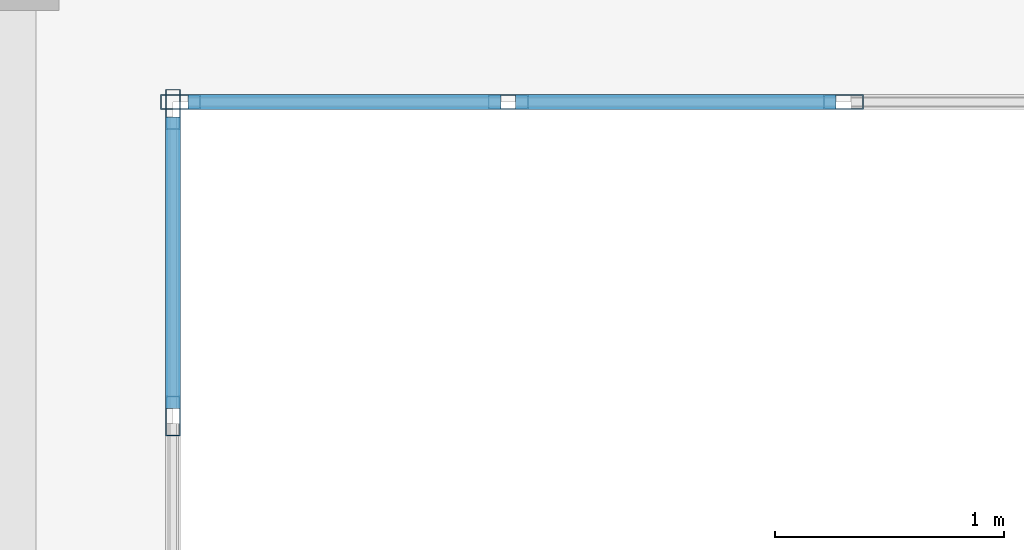
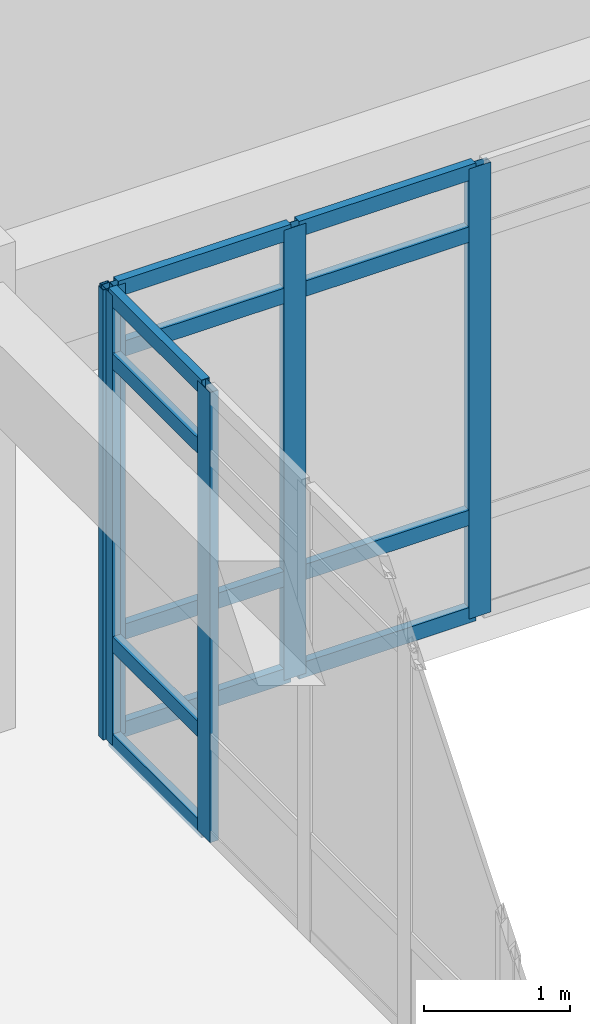
# One storey, part 57 of 91: 17 members, 2 elements without a shape of their own.
"""IFC4 building model written with IfcOpenShell, lengths in metres."""

from ifc_helpers import new_model, si_unit, direction, frame, origin, origin_2d, place, context, subcontext, project, spatial, hollow_rectangle, extrude, material, layer, layer_set, material_profile, profile_set, type_object, element, aggregate, save


model = new_model("IFC4")

# Units and contexts
model_context = context("Model", 3, precision=1e-05, world=origin(), true_north=direction((0.0, 1.0)))
body_context = subcontext(model_context, "Body", "Model", "MODEL_VIEW")
ifc_project = project(units=[si_unit("LENGTHUNIT", "METRE"), si_unit("AREAUNIT", "SQUARE_METRE"), si_unit("VOLUMEUNIT", "CUBIC_METRE"), si_unit("PLANEANGLEUNIT", "RADIAN"), si_unit("MASSUNIT", "GRAM", prefix="KILO")], contexts=[model_context])

# Site, building, storey
site_placement = place(None, origin())
site = spatial("IfcSite", under=ifc_project, at=site_placement, CompositionType="ELEMENT")
building_placement = place(site_placement, origin())
building = spatial("IfcBuilding", under=site, at=building_placement, Name="Valcora Specialist Clinic", CompositionType="ELEMENT")
storey_placement = place(building_placement, frame((0.0, 0.0, 13.60009765625)))
storey = spatial("IfcBuildingStorey", under=building, at=storey_placement, Name="L03", CompositionType="ELEMENT", Elevation=13.60009765625)

# Curtain wall, members
ifc_material = material(Name="Anodized Bronze Aluminium 6063-T6", Category="aluminium")
ifc_layer = layer(ifc_material, 0.175048828125)
ifc_layer_set = layer_set([ifc_layer], Name="Anodized Bronze Aluminium 6063-T6")
curtain_wall_type = type_object("IfcCurtainWallType", Name="TY-CW-CRT15", PredefinedType="NOTDEFINED", material=ifc_layer_set)
curtain_wall_1_placement = place(storey_placement, origin())
curtain_wall_1 = element("IfcCurtainWall", 1, at=curtain_wall_1_placement, inside=storey, type_object=curtain_wall_type, Name="Curtain wall CW-L03-133", PredefinedType="NOTDEFINED")
ifc_material_profile_1 = material_profile(ifc_material, hollow_rectangle(XDim=0.06494140625, YDim=0.175048828125, WallThickness=0.00390625, at=origin_2d()), Name="AL-MUL-65X175")
ifc_profile_set_1 = profile_set([ifc_material_profile_1], Name="Anodized Bronze Aluminium 6063-T6")
member_type_1 = type_object("IfcMemberType", Name="TY-CWM-65X175", PredefinedType="MULLION", material=ifc_profile_set_1)
member_1_placement = place(storey_placement, frame((79.7333984375, 98.5, 0.0), z_axis=(0.0, 0.0, 1.0), x_axis=(0.0, -1.0, 0.0)))
member_1 = element("IfcMember", 2, at=member_1_placement, type_object=member_type_1, Name="CW-CRT-15 mullion 2", PredefinedType="MULLION", context=body_context, shape_type="SweptSolid", body=[
    extrude(hollow_rectangle(XDim=0.06494140625, YDim=0.175048828125, WallThickness=0.00390625, at=origin_2d()), origin(), (0.0, 0.0, 1.0), 3.77490234375),
])
member_2_placement = place(storey_placement, frame((78.2666015625, 98.5, 0.0), z_axis=(0.0, 0.0, 1.0), x_axis=(0.0, -1.0, 0.0)))
member_2 = element("IfcMember", 3, at=member_2_placement, type_object=member_type_1, Name="CW-CRT-15 mullion 3", PredefinedType="MULLION", context=body_context, shape_type="SweptSolid", body=[
    extrude(hollow_rectangle(XDim=0.06494140625, YDim=0.175048828125, WallThickness=0.00390625, at=origin_2d()), origin(), (0.0, 0.0, 1.0), 3.77490234375),
])
member_3_placement = place(storey_placement, frame((76.83251953125, 98.5, 0.0), z_axis=(0.0, 0.0, 1.0), x_axis=(0.0, -1.0, 0.0)))
member_3 = element("IfcMember", 4, at=member_3_placement, type_object=member_type_1, Name="CW-CRT-15 mullion 4", PredefinedType="MULLION", context=body_context, shape_type="SweptSolid", body=[
    extrude(hollow_rectangle(XDim=0.06494140625, YDim=0.175048828125, WallThickness=0.00390625, at=origin_2d()), origin(), (0.0, 0.0, 1.0), 3.77490234375),
])

curtain_wall_2_placement = place(storey_placement, origin())
curtain_wall_2 = element("IfcCurtainWall", 5, at=curtain_wall_2_placement, inside=storey, type_object=curtain_wall_type, Name="Curtain wall CW-L03-134", PredefinedType="NOTDEFINED")
member_4_placement = place(storey_placement, frame((76.800048828125, 98.467529296875, 0.0), z_axis=(0.0, 0.0, 1.0), x_axis=(1.0, 0.0, 0.0)))
member_4 = element("IfcMember", 6, at=member_4_placement, type_object=member_type_1, Name="CW-CRT-15 mullion 1", PredefinedType="MULLION", context=body_context, shape_type="SweptSolid", body=[
    extrude(hollow_rectangle(XDim=0.06494140625, YDim=0.175048828125, WallThickness=0.00390625, at=origin_2d()), origin(), (0.0, 0.0, 1.0), 3.77490234375),
])
member_5_placement = place(storey_placement, frame((76.800048828125, 97.125, 0.0), z_axis=(0.0, 0.0, 1.0), x_axis=(1.0, 0.0, 0.0)))
member_5 = element("IfcMember", 7, at=member_5_placement, type_object=member_type_1, Name="CW-CRT-15 mullion 2", PredefinedType="MULLION", context=body_context, shape_type="SweptSolid", body=[
    extrude(hollow_rectangle(XDim=0.06494140625, YDim=0.175048828125, WallThickness=0.00390625, at=origin_2d()), origin(), (0.0, 0.0, 1.0), 3.77490234375),
])

# Member
ifc_material_profile_2 = material_profile(ifc_material, hollow_rectangle(XDim=0.06494140625, YDim=0.1298828125, WallThickness=0.00390625, at=origin_2d()), Name="AL-TRN-65X130")
ifc_profile_set_2 = profile_set([ifc_material_profile_2], Name="Anodized Bronze Aluminium 6063-T6")
member_type_2 = type_object("IfcMemberType", Name="TY-CWT-65X130", PredefinedType="USERDEFINED", material=ifc_profile_set_2)
member_6_placement = place(storey_placement, frame((79.700927734375, 98.5, 0.032470703125), z_axis=(-1.0, 0.0, 0.0), x_axis=(0.0, -1.0, 0.0)))
member_6 = element("IfcMember", 8, at=member_6_placement, type_object=member_type_2, Name="CW-CRT-15 transom 2.1", ObjectType="TRANSOM", PredefinedType="USERDEFINED", context=body_context, shape_type="SweptSolid", body=[
    extrude(hollow_rectangle(XDim=0.06494140625, YDim=0.1298828125, WallThickness=0.00390625, at=origin_2d()), origin(), (0.0, 0.0, 1.0), 1.40185546875),
])

member_7_placement = place(storey_placement, frame((79.700927734375, 98.5, 0.849853515625), z_axis=(-1.0, 0.0, 0.0), x_axis=(0.0, -1.0, 0.0)))
member_7 = element("IfcMember", 9, at=member_7_placement, type_object=member_type_2, Name="CW-CRT-15 transom 2.2", ObjectType="TRANSOM", PredefinedType="USERDEFINED", context=body_context, shape_type="SweptSolid", body=[
    extrude(hollow_rectangle(XDim=0.06494140625, YDim=0.1298828125, WallThickness=0.00390625, at=origin_2d()), origin(), (0.0, 0.0, 1.0), 1.40185546875),
])

member_8_placement = place(storey_placement, frame((79.700927734375, 98.5, 3.224853515625), z_axis=(-1.0, 0.0, 0.0), x_axis=(0.0, -1.0, 0.0)))
member_8 = element("IfcMember", 10, at=member_8_placement, type_object=member_type_2, Name="CW-CRT-15 transom 2.3", ObjectType="TRANSOM", PredefinedType="USERDEFINED", context=body_context, shape_type="SweptSolid", body=[
    extrude(hollow_rectangle(XDim=0.06494140625, YDim=0.1298828125, WallThickness=0.00390625, at=origin_2d()), origin(), (0.0, 0.0, 1.0), 1.40185546875),
])

member_9_placement = place(storey_placement, frame((79.700927734375, 98.5, 3.742431640625), z_axis=(-1.0, 0.0, 0.0), x_axis=(0.0, -1.0, 0.0)))
member_9 = element("IfcMember", 11, at=member_9_placement, type_object=member_type_2, Name="CW-CRT-15 transom 2.4", ObjectType="TRANSOM", PredefinedType="USERDEFINED", context=body_context, shape_type="SweptSolid", body=[
    extrude(hollow_rectangle(XDim=0.06494140625, YDim=0.1298828125, WallThickness=0.00390625, at=origin_2d()), origin(), (0.0, 0.0, 1.0), 1.40185546875),
])

member_10_placement = place(storey_placement, frame((78.234130859375, 98.5, 0.032470703125), z_axis=(-1.0, 0.0, 0.0), x_axis=(0.0, -1.0, 0.0)))
member_10 = element("IfcMember", 12, at=member_10_placement, type_object=member_type_2, Name="CW-CRT-15 transom 3.1", ObjectType="TRANSOM", PredefinedType="USERDEFINED", context=body_context, shape_type="SweptSolid", body=[
    extrude(hollow_rectangle(XDim=0.06494140625, YDim=0.1298828125, WallThickness=0.00390625, at=origin_2d()), origin(), (0.0, 0.0, 1.0), 1.369140625),
])

member_11_placement = place(storey_placement, frame((78.234130859375, 98.5, 0.849853515625), z_axis=(-1.0, 0.0, 0.0), x_axis=(0.0, -1.0, 0.0)))
member_11 = element("IfcMember", 13, at=member_11_placement, type_object=member_type_2, Name="CW-CRT-15 transom 3.2", ObjectType="TRANSOM", PredefinedType="USERDEFINED", context=body_context, shape_type="SweptSolid", body=[
    extrude(hollow_rectangle(XDim=0.06494140625, YDim=0.1298828125, WallThickness=0.00390625, at=origin_2d()), origin(), (0.0, 0.0, 1.0), 1.369140625),
])

member_12_placement = place(storey_placement, frame((78.234130859375, 98.5, 3.224853515625), z_axis=(-1.0, 0.0, 0.0), x_axis=(0.0, -1.0, 0.0)))
member_12 = element("IfcMember", 14, at=member_12_placement, type_object=member_type_2, Name="CW-CRT-15 transom 3.3", ObjectType="TRANSOM", PredefinedType="USERDEFINED", context=body_context, shape_type="SweptSolid", body=[
    extrude(hollow_rectangle(XDim=0.06494140625, YDim=0.1298828125, WallThickness=0.00390625, at=origin_2d()), origin(), (0.0, 0.0, 1.0), 1.369140625),
])

member_13_placement = place(storey_placement, frame((78.234130859375, 98.5, 3.742431640625), z_axis=(-1.0, 0.0, 0.0), x_axis=(0.0, -1.0, 0.0)))
member_13 = element("IfcMember", 15, at=member_13_placement, type_object=member_type_2, Name="CW-CRT-15 transom 3.4", ObjectType="TRANSOM", PredefinedType="USERDEFINED", context=body_context, shape_type="SweptSolid", body=[
    extrude(hollow_rectangle(XDim=0.06494140625, YDim=0.1298828125, WallThickness=0.00390625, at=origin_2d()), origin(), (0.0, 0.0, 1.0), 1.369140625),
])

aggregate(curtain_wall_1, [member_1, member_2, member_3, member_6, member_7, member_8, member_9, member_10, member_11, member_12, member_13])

member_14_placement = place(storey_placement, frame((76.800048828125, 98.43505859375, 0.032470703125), z_axis=(0.0, -1.0, 0.0), x_axis=(1.0, 0.0, 0.0)))
member_14 = element("IfcMember", 16, at=member_14_placement, type_object=member_type_2, Name="CW-CRT-15 transom 1.1", ObjectType="TRANSOM", PredefinedType="USERDEFINED", context=body_context, shape_type="SweptSolid", body=[
    extrude(hollow_rectangle(XDim=0.06494140625, YDim=0.1298828125, WallThickness=0.00390625, at=origin_2d()), origin(), (0.0, 0.0, 1.0), 1.277587890625),
])

member_15_placement = place(storey_placement, frame((76.800048828125, 98.43505859375, 0.849853515625), z_axis=(0.0, -1.0, 0.0), x_axis=(1.0, 0.0, 0.0)))
member_15 = element("IfcMember", 17, at=member_15_placement, type_object=member_type_2, Name="CW-CRT-15 transom 1.2", ObjectType="TRANSOM", PredefinedType="USERDEFINED", context=body_context, shape_type="SweptSolid", body=[
    extrude(hollow_rectangle(XDim=0.06494140625, YDim=0.1298828125, WallThickness=0.00390625, at=origin_2d()), origin(), (0.0, 0.0, 1.0), 1.277587890625),
])

member_16_placement = place(storey_placement, frame((76.800048828125, 98.43505859375, 3.224853515625), z_axis=(0.0, -1.0, 0.0), x_axis=(1.0, 0.0, 0.0)))
member_16 = element("IfcMember", 18, at=member_16_placement, type_object=member_type_2, Name="CW-CRT-15 transom 1.3", ObjectType="TRANSOM", PredefinedType="USERDEFINED", context=body_context, shape_type="SweptSolid", body=[
    extrude(hollow_rectangle(XDim=0.06494140625, YDim=0.1298828125, WallThickness=0.00390625, at=origin_2d()), origin(), (0.0, 0.0, 1.0), 1.277587890625),
])

member_17_placement = place(storey_placement, frame((76.800048828125, 98.43505859375, 3.742431640625), z_axis=(0.0, -1.0, 0.0), x_axis=(1.0, 0.0, 0.0)))
member_17 = element("IfcMember", 19, at=member_17_placement, type_object=member_type_2, Name="CW-CRT-15 transom 1.4", ObjectType="TRANSOM", PredefinedType="USERDEFINED", context=body_context, shape_type="SweptSolid", body=[
    extrude(hollow_rectangle(XDim=0.06494140625, YDim=0.1298828125, WallThickness=0.00390625, at=origin_2d()), origin(), (0.0, 0.0, 1.0), 1.277587890625),
])

aggregate(curtain_wall_2, [member_4, member_5, member_14, member_15, member_16, member_17])

save(model, "model.ifc")
